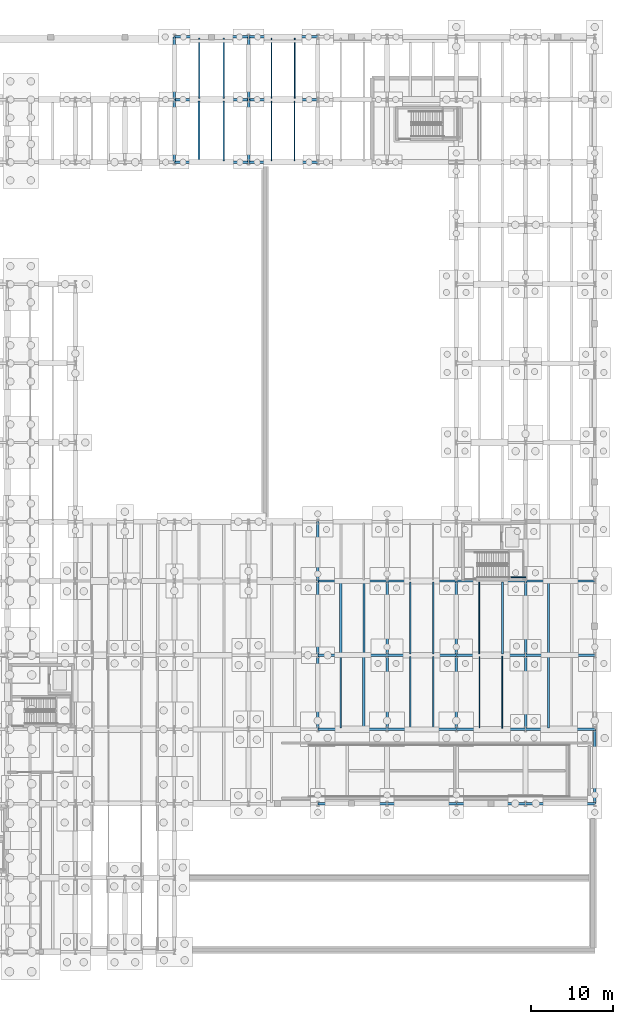
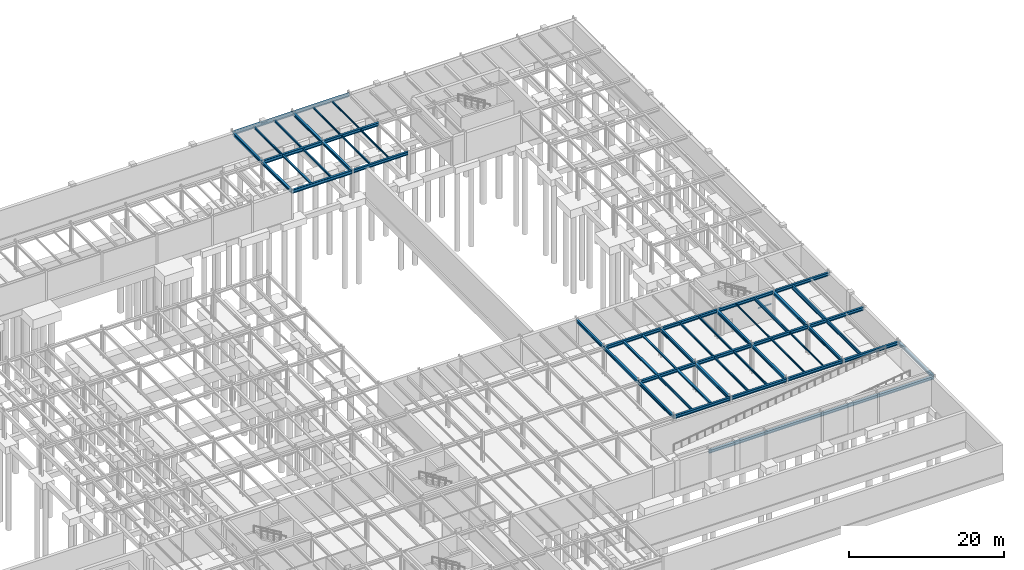
# One storey, part 35 of 59: 59 beams.
"""IFC4 building model written with IfcOpenShell, lengths in metres."""

from ifc_helpers import new_model, si_unit, direction, frame, origin, origin_2d, place, context, subcontext, project, spatial, i_section, extrude, material, material_profile, profile_set, type_object, element, save


model = new_model("IFC4")

# Units and contexts
model_context = context("Model", 3, precision=1e-05, world=origin(), true_north=direction((0.0, 1.0)))
body_context = subcontext(model_context, "Body", "Model", "MODEL_VIEW")
ifc_project = project(units=[si_unit("LENGTHUNIT", "METRE"), si_unit("AREAUNIT", "SQUARE_METRE"), si_unit("VOLUMEUNIT", "CUBIC_METRE"), si_unit("PLANEANGLEUNIT", "RADIAN"), si_unit("MASSUNIT", "GRAM", prefix="KILO")], contexts=[model_context])

# Site, building, storey
site_placement = place(None, origin())
site = spatial("IfcSite", under=ifc_project, at=site_placement, CompositionType="ELEMENT")
building_placement = place(site_placement, origin())
building = spatial("IfcBuilding", under=site, at=building_placement, Name="Montealbar Specialist Clinic", CompositionType="ELEMENT")
storey_placement = place(building_placement, frame((0.0, 0.0, -4.800048828125)))
storey = spatial("IfcBuildingStorey", under=building, at=storey_placement, Name="B01", CompositionType="ELEMENT", Elevation=-4.800048828125)

# Beams
ifc_material = material(Name="Steel S355", Category="steel")
ifc_material_profile_1 = material_profile(ifc_material, i_section(OverallWidth=0.300048828125, OverallDepth=0.449951171875, WebThickness=0.013916015625, FlangeThickness=0.02587890625, FilletRadius=0.027099609375, at=origin_2d()), Name="HEB 450", Category="steel")
ifc_profile_set_1 = profile_set([ifc_material_profile_1], Name="Steel S355")
beam_type_1 = type_object("IfcBeamType", Name="BM-GIRD-HEB450", PredefinedType="BEAM", material=ifc_profile_set_1)
beam_1_placement = place(storey_placement, frame((120.0, 95.800048828125, 4.255126953125), z_axis=(0.0, 1.0, 0.0), x_axis=(-1.0, 0.0, 0.0)))
element("IfcBeam", 1, at=beam_1_placement, inside=storey, type_object=beam_type_1, Name="Beam GY-B01-1200-958-1034", PredefinedType="BEAM", context=body_context, shape_type="SweptSolid", body=[
    extrude(i_section(OverallWidth=0.300048828125, OverallDepth=0.449951171875, WebThickness=0.013916015625, FlangeThickness=0.02587890625, FilletRadius=0.027099609375, at=origin_2d()), origin(), (0.0, 0.0, 1.0), 7.599853515625),
])
beam_2_placement = place(storey_placement, frame((120.0, 103.39990234375, 4.255126953125), z_axis=(0.0, 1.0, 0.0), x_axis=(-1.0, 0.0, 0.0)))
element("IfcBeam", 2, at=beam_2_placement, inside=storey, type_object=beam_type_1, Name="Beam GY-B01-1200-1034-1110", PredefinedType="BEAM", context=body_context, shape_type="SweptSolid", body=[
    extrude(i_section(OverallWidth=0.300048828125, OverallDepth=0.449951171875, WebThickness=0.013916015625, FlangeThickness=0.02587890625, FilletRadius=0.027099609375, at=origin_2d()), origin(), (0.0, 0.0, 1.0), 7.60009765625),
])
beam_3_placement = place(storey_placement, frame((128.39990234375, 45.0, 4.255126953125), z_axis=(0.0, 1.0, 0.0), x_axis=(-1.0, 0.0, 0.0)))
element("IfcBeam", 3, at=beam_3_placement, inside=storey, type_object=beam_type_1, Name="Beam GY-B01-1284-450-522", PredefinedType="BEAM", context=body_context, shape_type="SweptSolid", body=[
    extrude(i_section(OverallWidth=0.300048828125, OverallDepth=0.449951171875, WebThickness=0.013916015625, FlangeThickness=0.02587890625, FilletRadius=0.027099609375, at=origin_2d()), origin(), (0.0, 0.0, 1.0), 7.199951171875),
])
ifc_material_profile_2 = material_profile(ifc_material, i_section(OverallWidth=0.300048828125, OverallDepth=0.449951171875, WebThickness=0.013916015625, FlangeThickness=0.02587890625, FilletRadius=0.027099609375, at=origin_2d()), Name="HEB 450", Category="steel")
ifc_profile_set_2 = profile_set([ifc_material_profile_2], Name="Steel S355")
beam_type_2 = type_object("IfcBeamType", Name="BM-GIRD-HEB450-EXT", PredefinedType="BEAM", material=ifc_profile_set_2)
beam_4_placement = place(storey_placement, frame((111.0, 95.800048828125, 4.255126953125), z_axis=(0.0, 1.0, 0.0), x_axis=(-1.0, 0.0, 0.0)))
element("IfcBeam", 4, at=beam_4_placement, inside=storey, type_object=beam_type_2, Name="Beam GY-B01-1110-958-1034", PredefinedType="BEAM", context=body_context, shape_type="SweptSolid", body=[
    extrude(i_section(OverallWidth=0.300048828125, OverallDepth=0.449951171875, WebThickness=0.013916015625, FlangeThickness=0.02587890625, FilletRadius=0.027099609375, at=origin_2d()), origin(), (0.0, 0.0, 1.0), 7.599853515625),
])
beam_5_placement = place(storey_placement, frame((111.0, 103.39990234375, 4.255126953125), z_axis=(0.0, 1.0, 0.0), x_axis=(-1.0, 0.0, 0.0)))
element("IfcBeam", 5, at=beam_5_placement, inside=storey, type_object=beam_type_2, Name="Beam GY-B01-1110-1034-1110", PredefinedType="BEAM", context=body_context, shape_type="SweptSolid", body=[
    extrude(i_section(OverallWidth=0.300048828125, OverallDepth=0.449951171875, WebThickness=0.013916015625, FlangeThickness=0.02587890625, FilletRadius=0.027099609375, at=origin_2d()), origin(), (0.0, 0.0, 1.0), 7.60009765625),
])
ifc_material_profile_3 = material_profile(ifc_material, i_section(OverallWidth=0.300048828125, OverallDepth=0.5, WebThickness=0.014404296875, FlangeThickness=0.028076171875, FilletRadius=0.027099609375, at=origin_2d()), Name="HEB 500", Category="steel")
ifc_profile_set_3 = profile_set([ifc_material_profile_3], Name="Steel S355")
beam_type_3 = type_object("IfcBeamType", Name="BM-GIRD-HEB500", PredefinedType="BEAM", material=ifc_profile_set_3)
beam_6_placement = place(storey_placement, frame((136.800048828125, 27.0, 4.22998046875), z_axis=(1.0, 0.0, 0.0), x_axis=(0.0, 1.0, 0.0)))
element("IfcBeam", 6, at=beam_6_placement, inside=storey, type_object=beam_type_3, Name="Beam GX-B01-1368-1452-270", PredefinedType="BEAM", context=body_context, shape_type="SweptSolid", body=[
    extrude(i_section(OverallWidth=0.300048828125, OverallDepth=0.5, WebThickness=0.014404296875, FlangeThickness=0.028076171875, FilletRadius=0.027099609375, at=origin_2d()), origin(), (0.0, 0.0, 1.0), 8.39990234375),
])
beam_7_placement = place(storey_placement, frame((145.199951171875, 27.0, 4.22998046875), z_axis=(1.0, 0.0, 0.0), x_axis=(0.0, 1.0, 0.0)))
element("IfcBeam", 7, at=beam_7_placement, inside=storey, type_object=beam_type_3, Name="Beam GX-B01-1452-1536-270", PredefinedType="BEAM", context=body_context, shape_type="SweptSolid", body=[
    extrude(i_section(OverallWidth=0.300048828125, OverallDepth=0.5, WebThickness=0.014404296875, FlangeThickness=0.028076171875, FilletRadius=0.027099609375, at=origin_2d()), origin(), (0.0, 0.0, 1.0), 8.400146484375),
])
for number, where, z_axis, x_axis, name in (
    (8, (153.60009765625, 27.0, 4.22998046875), (1.0, 0.0, 0.0), (0.0, 1.0, 0.0), "Beam GX-B01-1536-1620-270"),
    (9, (136.800048828125, 36.0, 4.22998046875), (1.0, 0.0, 0.0), (0.0, 1.0, 0.0), "Beam GX-B01-1368-1452-360"),
):
    element("IfcBeam", number, at=place(storey_placement, frame(where, z_axis=z_axis, x_axis=x_axis)), inside=storey, type_object=beam_type_3, Name=name, PredefinedType="BEAM", context=body_context, shape_type="SweptSolid", body=[
        extrude(i_section(OverallWidth=0.300048828125, OverallDepth=0.5, WebThickness=0.014404296875, FlangeThickness=0.028076171875, FilletRadius=0.027099609375, at=origin_2d()), origin(), (0.0, 0.0, 1.0), 8.39990234375),
    ])
beam_8_placement = place(storey_placement, frame((145.199951171875, 36.0, 4.22998046875), z_axis=(1.0, 0.0, 0.0), x_axis=(0.0, 1.0, 0.0)))
element("IfcBeam", 10, at=beam_8_placement, inside=storey, type_object=beam_type_3, Name="Beam GX-B01-1452-1536-360", PredefinedType="BEAM", context=body_context, shape_type="SweptSolid", body=[
    extrude(i_section(OverallWidth=0.300048828125, OverallDepth=0.5, WebThickness=0.014404296875, FlangeThickness=0.028076171875, FilletRadius=0.027099609375, at=origin_2d()), origin(), (0.0, 0.0, 1.0), 8.400146484375),
])
beam_9_placement = place(storey_placement, frame((153.60009765625, 36.0, 4.22998046875), z_axis=(1.0, 0.0, 0.0), x_axis=(0.0, 1.0, 0.0)))
element("IfcBeam", 11, at=beam_9_placement, inside=storey, type_object=beam_type_3, Name="Beam GX-B01-1536-1620-360", PredefinedType="BEAM", context=body_context, shape_type="SweptSolid", body=[
    extrude(i_section(OverallWidth=0.300048828125, OverallDepth=0.5, WebThickness=0.014404296875, FlangeThickness=0.028076171875, FilletRadius=0.027099609375, at=origin_2d()), origin(), (0.0, 0.0, 1.0), 8.39990234375),
])
beam_10_placement = place(storey_placement, frame((128.39990234375, 45.0, 4.22998046875), z_axis=(1.0, 0.0, 0.0), x_axis=(0.0, 1.0, 0.0)))
element("IfcBeam", 12, at=beam_10_placement, inside=storey, type_object=beam_type_3, Name="Beam GX-B01-1284-1368-450", PredefinedType="BEAM", context=body_context, shape_type="SweptSolid", body=[
    extrude(i_section(OverallWidth=0.300048828125, OverallDepth=0.5, WebThickness=0.014404296875, FlangeThickness=0.028076171875, FilletRadius=0.027099609375, at=origin_2d()), origin(), (0.0, 0.0, 1.0), 8.400146484375),
])
beam_11_placement = place(storey_placement, frame((136.800048828125, 45.0, 4.22998046875), z_axis=(1.0, 0.0, 0.0), x_axis=(0.0, 1.0, 0.0)))
element("IfcBeam", 13, at=beam_11_placement, inside=storey, type_object=beam_type_3, Name="Beam GX-B01-1368-1452-450", PredefinedType="BEAM", context=body_context, shape_type="SweptSolid", body=[
    extrude(i_section(OverallWidth=0.300048828125, OverallDepth=0.5, WebThickness=0.014404296875, FlangeThickness=0.028076171875, FilletRadius=0.027099609375, at=origin_2d()), origin(), (0.0, 0.0, 1.0), 8.39990234375),
])
beam_12_placement = place(storey_placement, frame((145.199951171875, 45.0, 4.22998046875), z_axis=(1.0, 0.0, 0.0), x_axis=(0.0, 1.0, 0.0)))
element("IfcBeam", 14, at=beam_12_placement, inside=storey, type_object=beam_type_3, Name="Beam GX-B01-1452-1536-450", PredefinedType="BEAM", context=body_context, shape_type="SweptSolid", body=[
    extrude(i_section(OverallWidth=0.300048828125, OverallDepth=0.5, WebThickness=0.014404296875, FlangeThickness=0.028076171875, FilletRadius=0.027099609375, at=origin_2d()), origin(), (0.0, 0.0, 1.0), 8.400146484375),
])
for number, where, z_axis, x_axis, name in (
    (15, (153.60009765625, 45.0, 4.22998046875), (1.0, 0.0, 0.0), (0.0, 1.0, 0.0), "Beam GX-B01-1536-1620-450"),
    (16, (120.0, 103.39990234375, 4.22998046875), (1.0, 0.0, 0.0), (0.0, 1.0, 0.0), "Beam GX-B01-1200-1284-1034"),
):
    element("IfcBeam", number, at=place(storey_placement, frame(where, z_axis=z_axis, x_axis=x_axis)), inside=storey, type_object=beam_type_3, Name=name, PredefinedType="BEAM", context=body_context, shape_type="SweptSolid", body=[
        extrude(i_section(OverallWidth=0.300048828125, OverallDepth=0.5, WebThickness=0.014404296875, FlangeThickness=0.028076171875, FilletRadius=0.027099609375, at=origin_2d()), origin(), (0.0, 0.0, 1.0), 8.39990234375),
    ])
for number, where, z_axis, x_axis, name in (
    (17, (128.39990234375, 36.0, 4.22998046875), (0.0, 1.0, 0.0), (-1.0, 0.0, 0.0), "Beam GY-B01-1284-360-450"),
    (18, (136.800048828125, 36.0, 4.22998046875), (0.0, 1.0, 0.0), (-1.0, 0.0, 0.0), "Beam GY-B01-1368-360-450"),
    (19, (145.199951171875, 27.0, 4.22998046875), (0.0, 1.0, 0.0), (-1.0, 0.0, 0.0), "Beam GY-B01-1452-270-360"),
    (20, (145.199951171875, 36.0, 4.22998046875), (0.0, 1.0, 0.0), (-1.0, 0.0, 0.0), "Beam GY-B01-1452-360-450"),
    (21, (153.60009765625, 27.0, 4.22998046875), (0.0, 1.0, 0.0), (-1.0, 0.0, 0.0), "Beam GY-B01-1536-270-360"),
    (22, (153.60009765625, 36.0, 4.22998046875), (0.0, 1.0, 0.0), (-1.0, 0.0, 0.0), "Beam GY-B01-1536-360-450"),
):
    element("IfcBeam", number, at=place(storey_placement, frame(where, z_axis=z_axis, x_axis=x_axis)), inside=storey, type_object=beam_type_3, Name=name, PredefinedType="BEAM", context=body_context, shape_type="SweptSolid", body=[
        extrude(i_section(OverallWidth=0.300048828125, OverallDepth=0.5, WebThickness=0.014404296875, FlangeThickness=0.028076171875, FilletRadius=0.027099609375, at=origin_2d()), origin(), (0.0, 0.0, 1.0), 9.0),
    ])
ifc_material_profile_4 = material_profile(ifc_material, i_section(OverallWidth=0.300048828125, OverallDepth=0.5, WebThickness=0.014404296875, FlangeThickness=0.028076171875, FilletRadius=0.027099609375, at=origin_2d()), Name="HEB 500", Category="steel")
ifc_profile_set_4 = profile_set([ifc_material_profile_4], Name="Steel S355")
beam_type_4 = type_object("IfcBeamType", Name="BM-GIRD-HEB500-EXT", PredefinedType="BEAM", material=ifc_profile_set_4)
beam_13_placement = place(storey_placement, frame((128.39990234375, 18.0, 4.22998046875), z_axis=(1.0, 0.0, 0.0), x_axis=(0.0, 1.0, 0.0)))
element("IfcBeam", 23, at=beam_13_placement, inside=storey, type_object=beam_type_4, Name="Beam GX-B01-1284-1368-180", PredefinedType="BEAM", context=body_context, shape_type="SweptSolid", body=[
    extrude(i_section(OverallWidth=0.300048828125, OverallDepth=0.5, WebThickness=0.014404296875, FlangeThickness=0.028076171875, FilletRadius=0.027099609375, at=origin_2d()), origin(), (0.0, 0.0, 1.0), 8.400146484375),
])
beam_14_placement = place(storey_placement, frame((136.800048828125, 18.0, 4.22998046875), z_axis=(1.0, 0.0, 0.0), x_axis=(0.0, 1.0, 0.0)))
element("IfcBeam", 24, at=beam_14_placement, inside=storey, type_object=beam_type_4, Name="Beam GX-B01-1368-1452-180", PredefinedType="BEAM", context=body_context, shape_type="SweptSolid", body=[
    extrude(i_section(OverallWidth=0.300048828125, OverallDepth=0.5, WebThickness=0.014404296875, FlangeThickness=0.028076171875, FilletRadius=0.027099609375, at=origin_2d()), origin(), (0.0, 0.0, 1.0), 8.39990234375),
])
beam_15_placement = place(storey_placement, frame((145.199951171875, 18.0, 4.22998046875), z_axis=(1.0, 0.0, 0.0), x_axis=(0.0, 1.0, 0.0)))
element("IfcBeam", 25, at=beam_15_placement, inside=storey, type_object=beam_type_4, Name="Beam GX-B01-1452-1536-180", PredefinedType="BEAM", context=body_context, shape_type="SweptSolid", body=[
    extrude(i_section(OverallWidth=0.300048828125, OverallDepth=0.5, WebThickness=0.014404296875, FlangeThickness=0.028076171875, FilletRadius=0.027099609375, at=origin_2d()), origin(), (0.0, 0.0, 1.0), 8.400146484375),
])
beam_16_placement = place(storey_placement, frame((153.60009765625, 18.0, 4.22998046875), z_axis=(1.0, 0.0, 0.0), x_axis=(0.0, 1.0, 0.0)))
element("IfcBeam", 26, at=beam_16_placement, inside=storey, type_object=beam_type_4, Name="Beam GX-B01-1536-1620-180", PredefinedType="BEAM", context=body_context, shape_type="SweptSolid", body=[
    extrude(i_section(OverallWidth=0.300048828125, OverallDepth=0.5, WebThickness=0.014404296875, FlangeThickness=0.028076171875, FilletRadius=0.027099609375, at=origin_2d()), origin(), (0.0, 0.0, 1.0), 8.39990234375),
])
for number, where, z_axis, x_axis, name in (
    (27, (128.39990234375, 27.0, 4.22998046875), (1.0, 0.0, 0.0), (0.0, 1.0, 0.0), "Beam GX-B01-1284-1368-270"),
    (28, (128.39990234375, 36.0, 4.22998046875), (1.0, 0.0, 0.0), (0.0, 1.0, 0.0), "Beam GX-B01-1284-1368-360"),
):
    element("IfcBeam", number, at=place(storey_placement, frame(where, z_axis=z_axis, x_axis=x_axis)), inside=storey, type_object=beam_type_4, Name=name, PredefinedType="BEAM", context=body_context, shape_type="SweptSolid", body=[
        extrude(i_section(OverallWidth=0.300048828125, OverallDepth=0.5, WebThickness=0.014404296875, FlangeThickness=0.028076171875, FilletRadius=0.027099609375, at=origin_2d()), origin(), (0.0, 0.0, 1.0), 8.400146484375),
    ])
for number, where, z_axis, x_axis, name in (
    (29, (120.0, 95.800048828125, 4.22998046875), (1.0, 0.0, 0.0), (0.0, 1.0, 0.0), "Beam GX-B01-1200-1284-958"),
    (30, (120.0, 111.0, 4.22998046875), (1.0, 0.0, 0.0), (0.0, 1.0, 0.0), "Beam GX-B01-1200-1284-1110"),
):
    element("IfcBeam", number, at=place(storey_placement, frame(where, z_axis=z_axis, x_axis=x_axis)), inside=storey, type_object=beam_type_4, Name=name, PredefinedType="BEAM", context=body_context, shape_type="SweptSolid", body=[
        extrude(i_section(OverallWidth=0.300048828125, OverallDepth=0.5, WebThickness=0.014404296875, FlangeThickness=0.028076171875, FilletRadius=0.027099609375, at=origin_2d()), origin(), (0.0, 0.0, 1.0), 8.39990234375),
    ])
for number, where, z_axis, x_axis, name in (
    (31, (128.39990234375, 27.0, 4.22998046875), (0.0, 1.0, 0.0), (-1.0, 0.0, 0.0), "Beam GY-B01-1284-270-360"),
    (32, (136.800048828125, 27.0, 4.22998046875), (0.0, 1.0, 0.0), (-1.0, 0.0, 0.0), "Beam GY-B01-1368-270-360"),
    (33, (162.0, 18.0, 4.22998046875), (0.0, 1.0, 0.0), (-1.0, 0.0, 0.0), "Beam GY-B01-1620-180-270"),
):
    element("IfcBeam", number, at=place(storey_placement, frame(where, z_axis=z_axis, x_axis=x_axis)), inside=storey, type_object=beam_type_4, Name=name, PredefinedType="BEAM", context=body_context, shape_type="SweptSolid", body=[
        extrude(i_section(OverallWidth=0.300048828125, OverallDepth=0.5, WebThickness=0.014404296875, FlangeThickness=0.028076171875, FilletRadius=0.027099609375, at=origin_2d()), origin(), (0.0, 0.0, 1.0), 9.0),
    ])
ifc_material_profile_5 = material_profile(ifc_material, i_section(OverallWidth=0.300048828125, OverallDepth=0.550048828125, WebThickness=0.014892578125, FlangeThickness=0.029052734375, FilletRadius=0.027099609375, at=origin_2d()), Name="HEB 550", Category="steel")
ifc_profile_set_5 = profile_set([ifc_material_profile_5], Name="Steel S355")
beam_type_5 = type_object("IfcBeamType", Name="BM-GIRD-HEB550", PredefinedType="BEAM", material=ifc_profile_set_5)
beam_17_placement = place(storey_placement, frame((111.0, 103.39990234375, 4.205078125), z_axis=(1.0, 0.0, 0.0), x_axis=(0.0, 1.0, 0.0)))
element("IfcBeam", 34, at=beam_17_placement, inside=storey, type_object=beam_type_5, Name="Beam GX-B01-1110-1200-1034", PredefinedType="BEAM", context=body_context, shape_type="SweptSolid", body=[
    extrude(i_section(OverallWidth=0.300048828125, OverallDepth=0.550048828125, WebThickness=0.014892578125, FlangeThickness=0.029052734375, FilletRadius=0.027099609375, at=origin_2d()), origin(), (0.0, 0.0, 1.0), 9.0),
])
ifc_material_profile_6 = material_profile(ifc_material, i_section(OverallWidth=0.300048828125, OverallDepth=0.550048828125, WebThickness=0.014892578125, FlangeThickness=0.029052734375, FilletRadius=0.027099609375, at=origin_2d()), Name="HEB 550", Category="steel")
ifc_profile_set_6 = profile_set([ifc_material_profile_6], Name="Steel S355")
beam_type_6 = type_object("IfcBeamType", Name="BM-GIRD-HEB550-EXT", PredefinedType="BEAM", material=ifc_profile_set_6)
for number, where, z_axis, x_axis, name in (
    (35, (111.0, 95.800048828125, 4.205078125), (1.0, 0.0, 0.0), (0.0, 1.0, 0.0), "Beam GX-B01-1110-1200-958"),
    (36, (111.0, 111.0, 4.205078125), (1.0, 0.0, 0.0), (0.0, 1.0, 0.0), "Beam GX-B01-1110-1200-1110"),
):
    element("IfcBeam", number, at=place(storey_placement, frame(where, z_axis=z_axis, x_axis=x_axis)), inside=storey, type_object=beam_type_6, Name=name, PredefinedType="BEAM", context=body_context, shape_type="SweptSolid", body=[
        extrude(i_section(OverallWidth=0.300048828125, OverallDepth=0.550048828125, WebThickness=0.014892578125, FlangeThickness=0.029052734375, FilletRadius=0.027099609375, at=origin_2d()), origin(), (0.0, 0.0, 1.0), 9.0),
    ])
ifc_material_profile_7 = material_profile(ifc_material, i_section(OverallWidth=0.1201171875, OverallDepth=0.239990234375, WebThickness=0.006103515625, FlangeThickness=0.009765625, FilletRadius=0.014892578125, at=origin_2d()), Name="IPE 240", Category="steel")
ifc_profile_set_7 = profile_set([ifc_material_profile_7], Name="Steel S355")
beam_type_7 = type_object("IfcBeamType", Name="BM-JST-IPE240", PredefinedType="JOIST", material=ifc_profile_set_7)
beam_18_placement = place(storey_placement, frame((125.60009765625, 103.550048828125, 4.360107421875), z_axis=(0.0, 1.0, 0.0), x_axis=(-1.0, 0.0, 0.0)))
element("IfcBeam", 37, at=beam_18_placement, inside=storey, type_object=beam_type_7, Name="Beam JST-B01-1256-1036-1108", PredefinedType="JOIST", context=body_context, shape_type="SweptSolid", body=[
    extrude(i_section(OverallWidth=0.1201171875, OverallDepth=0.239990234375, WebThickness=0.006103515625, FlangeThickness=0.009765625, FilletRadius=0.014892578125, at=origin_2d()), origin(), (0.0, 0.0, 1.0), 7.300048828125),
])
for number, where, z_axis, x_axis, name in (
    (38, (150.800048828125, 27.14990234375, 4.360107421875), (0.0, 1.0, 0.0), (-1.0, 0.0, 0.0), "Beam JST-B01-1508-272-358"),
    (39, (148.0, 36.14990234375, 4.360107421875), (0.0, 1.0, 0.0), (-1.0, 0.0, 0.0), "Beam JST-B01-1480-362-448"),
):
    element("IfcBeam", number, at=place(storey_placement, frame(where, z_axis=z_axis, x_axis=x_axis)), inside=storey, type_object=beam_type_7, Name=name, PredefinedType="JOIST", context=body_context, shape_type="SweptSolid", body=[
        extrude(i_section(OverallWidth=0.1201171875, OverallDepth=0.239990234375, WebThickness=0.006103515625, FlangeThickness=0.009765625, FilletRadius=0.014892578125, at=origin_2d()), origin(), (0.0, 0.0, 1.0), 8.7001953125),
    ])
ifc_material_profile_8 = material_profile(ifc_material, i_section(OverallWidth=0.135009765625, OverallDepth=0.27001953125, WebThickness=0.006591796875, FlangeThickness=0.01025390625, FilletRadius=0.014892578125, at=origin_2d()), Name="IPE 270", Category="steel")
ifc_profile_set_8 = profile_set([ifc_material_profile_8], Name="Steel S355")
beam_type_8 = type_object("IfcBeamType", Name="BM-JST-IPE270", PredefinedType="JOIST", material=ifc_profile_set_8)
for number, where, z_axis, x_axis, name in (
    (40, (125.60009765625, 95.949951171875, 4.344970703125), (0.0, 1.0, 0.0), (-1.0, 0.0, 0.0), "Beam JST-B01-1256-960-1032"),
    (41, (122.800048828125, 103.550048828125, 4.344970703125), (0.0, 1.0, 0.0), (-1.0, 0.0, 0.0), "Beam JST-B01-1228-1036-1108"),
):
    element("IfcBeam", number, at=place(storey_placement, frame(where, z_axis=z_axis, x_axis=x_axis)), inside=storey, type_object=beam_type_8, Name=name, PredefinedType="JOIST", context=body_context, shape_type="SweptSolid", body=[
        extrude(i_section(OverallWidth=0.135009765625, OverallDepth=0.27001953125, WebThickness=0.006591796875, FlangeThickness=0.01025390625, FilletRadius=0.014892578125, at=origin_2d()), origin(), (0.0, 0.0, 1.0), 7.300048828125),
    ])
beam_19_placement = place(storey_placement, frame((148.0, 27.14990234375, 4.344970703125), z_axis=(0.0, 1.0, 0.0), x_axis=(-1.0, 0.0, 0.0)))
element("IfcBeam", 42, at=beam_19_placement, inside=storey, type_object=beam_type_8, Name="Beam JST-B01-1480-272-358", PredefinedType="JOIST", context=body_context, shape_type="SweptSolid", body=[
    extrude(i_section(OverallWidth=0.135009765625, OverallDepth=0.27001953125, WebThickness=0.006591796875, FlangeThickness=0.01025390625, FilletRadius=0.014892578125, at=origin_2d()), origin(), (0.0, 0.0, 1.0), 8.7001953125),
])
ifc_material_profile_9 = material_profile(ifc_material, i_section(OverallWidth=0.14990234375, OverallDepth=0.300048828125, WebThickness=0.007080078125, FlangeThickness=0.0107421875, FilletRadius=0.014892578125, at=origin_2d()), Name="IPE 300", Category="steel")
ifc_profile_set_9 = profile_set([ifc_material_profile_9], Name="Steel S355")
beam_type_9 = type_object("IfcBeamType", Name="BM-JST-IPE300", PredefinedType="JOIST", material=ifc_profile_set_9)
beam_20_placement = place(storey_placement, frame((122.800048828125, 95.949951171875, 4.330078125), z_axis=(0.0, 1.0, 0.0), x_axis=(-1.0, 0.0, 0.0)))
element("IfcBeam", 43, at=beam_20_placement, inside=storey, type_object=beam_type_9, Name="Beam JST-B01-1228-960-1032", PredefinedType="JOIST", context=body_context, shape_type="SweptSolid", body=[
    extrude(i_section(OverallWidth=0.14990234375, OverallDepth=0.300048828125, WebThickness=0.007080078125, FlangeThickness=0.0107421875, FilletRadius=0.014892578125, at=origin_2d()), origin(), (0.0, 0.0, 1.0), 7.300048828125),
])
beam_21_placement = place(storey_placement, frame((142.39990234375, 36.14990234375, 4.330078125), z_axis=(0.0, 1.0, 0.0), x_axis=(-1.0, 0.0, 0.0)))
element("IfcBeam", 44, at=beam_21_placement, inside=storey, type_object=beam_type_9, Name="Beam JST-B01-1424-362-448", PredefinedType="JOIST", context=body_context, shape_type="SweptSolid", body=[
    extrude(i_section(OverallWidth=0.14990234375, OverallDepth=0.300048828125, WebThickness=0.007080078125, FlangeThickness=0.0107421875, FilletRadius=0.014892578125, at=origin_2d()), origin(), (0.0, 0.0, 1.0), 8.7001953125),
])
ifc_material_profile_10 = material_profile(ifc_material, i_section(OverallWidth=0.159912109375, OverallDepth=0.330078125, WebThickness=0.007568359375, FlangeThickness=0.011474609375, FilletRadius=0.01806640625, at=origin_2d()), Name="IPE 330", Category="steel")
ifc_profile_set_10 = profile_set([ifc_material_profile_10], Name="Steel S355")
beam_type_10 = type_object("IfcBeamType", Name="BM-JST-IPE330", PredefinedType="JOIST", material=ifc_profile_set_10)
beam_22_placement = place(storey_placement, frame((117.0, 103.550048828125, 4.31494140625), z_axis=(0.0, 1.0, 0.0), x_axis=(-1.0, 0.0, 0.0)))
element("IfcBeam", 45, at=beam_22_placement, inside=storey, type_object=beam_type_10, Name="Beam JST-B01-1170-1036-1108", PredefinedType="JOIST", context=body_context, shape_type="SweptSolid", body=[
    extrude(i_section(OverallWidth=0.159912109375, OverallDepth=0.330078125, WebThickness=0.007568359375, FlangeThickness=0.011474609375, FilletRadius=0.01806640625, at=origin_2d()), origin(), (0.0, 0.0, 1.0), 7.300048828125),
])
for number, where, z_axis, x_axis, name in (
    (46, (142.39990234375, 27.14990234375, 4.31494140625), (0.0, 1.0, 0.0), (-1.0, 0.0, 0.0), "Beam JST-B01-1424-272-358"),
    (47, (139.60009765625, 36.14990234375, 4.31494140625), (0.0, 1.0, 0.0), (-1.0, 0.0, 0.0), "Beam JST-B01-1396-362-448"),
):
    element("IfcBeam", number, at=place(storey_placement, frame(where, z_axis=z_axis, x_axis=x_axis)), inside=storey, type_object=beam_type_10, Name=name, PredefinedType="JOIST", context=body_context, shape_type="SweptSolid", body=[
        extrude(i_section(OverallWidth=0.159912109375, OverallDepth=0.330078125, WebThickness=0.007568359375, FlangeThickness=0.011474609375, FilletRadius=0.01806640625, at=origin_2d()), origin(), (0.0, 0.0, 1.0), 8.7001953125),
    ])
ifc_material_profile_11 = material_profile(ifc_material, i_section(OverallWidth=0.169921875, OverallDepth=0.360107421875, WebThickness=0.008056640625, FlangeThickness=0.0126953125, FilletRadius=0.01806640625, at=origin_2d()), Name="IPE 360", Category="steel")
ifc_profile_set_11 = profile_set([ifc_material_profile_11], Name="Steel S355")
beam_type_11 = type_object("IfcBeamType", Name="BM-JST-IPE360", PredefinedType="JOIST", material=ifc_profile_set_11)
for number, where, z_axis, x_axis, name in (
    (48, (117.0, 95.949951171875, 4.300048828125), (0.0, 1.0, 0.0), (-1.0, 0.0, 0.0), "Beam JST-B01-1170-960-1032"),
    (49, (114.0, 103.550048828125, 4.300048828125), (0.0, 1.0, 0.0), (-1.0, 0.0, 0.0), "Beam JST-B01-1140-1036-1108"),
):
    element("IfcBeam", number, at=place(storey_placement, frame(where, z_axis=z_axis, x_axis=x_axis)), inside=storey, type_object=beam_type_11, Name=name, PredefinedType="JOIST", context=body_context, shape_type="SweptSolid", body=[
        extrude(i_section(OverallWidth=0.169921875, OverallDepth=0.360107421875, WebThickness=0.008056640625, FlangeThickness=0.0126953125, FilletRadius=0.01806640625, at=origin_2d()), origin(), (0.0, 0.0, 1.0), 7.300048828125),
    ])
beam_23_placement = place(storey_placement, frame((139.60009765625, 27.14990234375, 4.300048828125), z_axis=(0.0, 1.0, 0.0), x_axis=(-1.0, 0.0, 0.0)))
element("IfcBeam", 50, at=beam_23_placement, inside=storey, type_object=beam_type_11, Name="Beam JST-B01-1396-272-358", PredefinedType="JOIST", context=body_context, shape_type="SweptSolid", body=[
    extrude(i_section(OverallWidth=0.169921875, OverallDepth=0.360107421875, WebThickness=0.008056640625, FlangeThickness=0.0126953125, FilletRadius=0.01806640625, at=origin_2d()), origin(), (0.0, 0.0, 1.0), 8.7001953125),
])
ifc_material_profile_12 = material_profile(ifc_material, i_section(OverallWidth=0.199951171875, OverallDepth=0.5, WebThickness=0.01025390625, FlangeThickness=0.01611328125, FilletRadius=0.02099609375, at=origin_2d()), Name="IPE 500", Category="steel")
ifc_profile_set_12 = profile_set([ifc_material_profile_12], Name="Steel S355")
beam_type_12 = type_object("IfcBeamType", Name="BM-JST-IPE500", PredefinedType="JOIST", material=ifc_profile_set_12)
beam_24_placement = place(storey_placement, frame((150.800048828125, 36.14990234375, 4.22998046875), z_axis=(0.0, 1.0, 0.0), x_axis=(-1.0, 0.0, 0.0)))
element("IfcBeam", 51, at=beam_24_placement, inside=storey, type_object=beam_type_12, Name="Beam JST-B01-1508-362-448", PredefinedType="JOIST", context=body_context, shape_type="SweptSolid", body=[
    extrude(i_section(OverallWidth=0.199951171875, OverallDepth=0.5, WebThickness=0.01025390625, FlangeThickness=0.01611328125, FilletRadius=0.02099609375, at=origin_2d()), origin(), (0.0, 0.0, 1.0), 8.7001953125),
])
ifc_material_profile_13 = material_profile(ifc_material, i_section(OverallWidth=0.2099609375, OverallDepth=0.550048828125, WebThickness=0.010986328125, FlangeThickness=0.01708984375, FilletRadius=0.02392578125, at=origin_2d()), Name="IPE 550", Category="steel")
ifc_profile_set_13 = profile_set([ifc_material_profile_13], Name="Steel S355")
beam_type_13 = type_object("IfcBeamType", Name="BM-JST-IPE550", PredefinedType="JOIST", material=ifc_profile_set_13)
beam_25_placement = place(storey_placement, frame((156.39990234375, 27.14990234375, 4.205078125), z_axis=(0.0, 1.0, 0.0), x_axis=(-1.0, 0.0, 0.0)))
element("IfcBeam", 52, at=beam_25_placement, inside=storey, type_object=beam_type_13, Name="Beam JST-B01-1564-272-358", PredefinedType="JOIST", context=body_context, shape_type="SweptSolid", body=[
    extrude(i_section(OverallWidth=0.2099609375, OverallDepth=0.550048828125, WebThickness=0.010986328125, FlangeThickness=0.01708984375, FilletRadius=0.02392578125, at=origin_2d()), origin(), (0.0, 0.0, 1.0), 8.7001953125),
])
ifc_material_profile_14 = material_profile(ifc_material, i_section(OverallWidth=0.219970703125, OverallDepth=0.60009765625, WebThickness=0.011962890625, FlangeThickness=0.01904296875, FilletRadius=0.02392578125, at=origin_2d()), Name="IPE 600", Category="steel")
ifc_profile_set_14 = profile_set([ifc_material_profile_14], Name="Steel S355")
beam_type_14 = type_object("IfcBeamType", Name="BM-JST-IPE600", PredefinedType="JOIST", material=ifc_profile_set_14)
beam_26_placement = place(storey_placement, frame((156.39990234375, 36.14990234375, 4.179931640625), z_axis=(0.0, 1.0, 0.0), x_axis=(-1.0, 0.0, 0.0)))
element("IfcBeam", 53, at=beam_26_placement, inside=storey, type_object=beam_type_14, Name="Beam JST-B01-1564-362-448", PredefinedType="JOIST", context=body_context, shape_type="SweptSolid", body=[
    extrude(i_section(OverallWidth=0.219970703125, OverallDepth=0.60009765625, WebThickness=0.011962890625, FlangeThickness=0.01904296875, FilletRadius=0.02392578125, at=origin_2d()), origin(), (0.0, 0.0, 1.0), 8.7001953125),
])
ifc_material_profile_15 = material_profile(ifc_material, i_section(OverallWidth=0.10009765625, OverallDepth=0.199951171875, WebThickness=0.005615234375, FlangeThickness=0.008544921875, FilletRadius=0.011962890625, at=origin_2d()), Name="IPE 200", Category="steel")
ifc_profile_set_15 = profile_set([ifc_material_profile_15], Name="Steel S355")
beam_type_15 = type_object("IfcBeamType", Name="BM-LINT-IPE200", PredefinedType="LINTEL", material=ifc_profile_set_15)
beam_27_placement = place(storey_placement, frame((151.574951171875, 45.449951171875, 2.10009765625), z_axis=(1.0, 0.0, 0.0), x_axis=(0.0, 1.0, 0.0)))
element("IfcBeam", 54, at=beam_27_placement, inside=storey, type_object=beam_type_15, Name="Core C6 Stair Landing Tie Beam B01", PredefinedType="LINTEL", context=body_context, shape_type="SweptSolid", body=[
    extrude(i_section(OverallWidth=0.10009765625, OverallDepth=0.199951171875, WebThickness=0.005615234375, FlangeThickness=0.008544921875, FilletRadius=0.011962890625, at=origin_2d()), origin(), (0.0, 0.0, 1.0), 2.025146484375),
])
ifc_material_profile_16 = material_profile(ifc_material, i_section(OverallWidth=0.179931640625, OverallDepth=0.39990234375, WebThickness=0.008544921875, FlangeThickness=0.013427734375, FilletRadius=0.02099609375, at=origin_2d()), Name="IPE 400", Category="steel")
ifc_profile_set_16 = profile_set([ifc_material_profile_16], Name="Steel S355")
beam_type_16 = type_object("IfcBeamType", Name="BM-SEC-IPE400", PredefinedType="BEAM", material=ifc_profile_set_16)
beam_28_placement = place(storey_placement, frame((131.199951171875, 27.14990234375, 4.280029296875), z_axis=(0.0, 1.0, 0.0), x_axis=(-1.0, 0.0, 0.0)))
element("IfcBeam", 55, at=beam_28_placement, inside=storey, type_object=beam_type_16, Name="Beam JST-B01-1312-272-358", PredefinedType="BEAM", context=body_context, shape_type="SweptSolid", body=[
    extrude(i_section(OverallWidth=0.179931640625, OverallDepth=0.39990234375, WebThickness=0.008544921875, FlangeThickness=0.013427734375, FilletRadius=0.02099609375, at=origin_2d()), origin(), (0.0, 0.0, 1.0), 8.7001953125),
])
ifc_material_profile_17 = material_profile(ifc_material, i_section(OverallWidth=0.239990234375, OverallDepth=0.22998046875, WebThickness=0.007568359375, FlangeThickness=0.011962890625, FilletRadius=0.02099609375, at=origin_2d()), Name="HEA 240", Category="steel")
ifc_profile_set_17 = profile_set([ifc_material_profile_17], Name="Steel S355")
beam_type_17 = type_object("IfcBeamType", Name="BM-SPAND-HEA240", PredefinedType="SPANDREL", material=ifc_profile_set_17)
beam_29_placement = place(storey_placement, frame((114.0, 95.949951171875, 4.364990234375), z_axis=(0.0, 1.0, 0.0), x_axis=(-1.0, 0.0, 0.0)))
element("IfcBeam", 56, at=beam_29_placement, inside=storey, type_object=beam_type_17, Name="Beam JST-B01-1140-960-1032", PredefinedType="SPANDREL", context=body_context, shape_type="SweptSolid", body=[
    extrude(i_section(OverallWidth=0.239990234375, OverallDepth=0.22998046875, WebThickness=0.007568359375, FlangeThickness=0.011962890625, FilletRadius=0.02099609375, at=origin_2d()), origin(), (0.0, 0.0, 1.0), 7.300048828125),
])
beam_30_placement = place(storey_placement, frame((134.0, 36.14990234375, 4.364990234375), z_axis=(0.0, 1.0, 0.0), x_axis=(-1.0, 0.0, 0.0)))
element("IfcBeam", 57, at=beam_30_placement, inside=storey, type_object=beam_type_17, Name="Beam JST-B01-1340-362-448", PredefinedType="SPANDREL", context=body_context, shape_type="SweptSolid", body=[
    extrude(i_section(OverallWidth=0.239990234375, OverallDepth=0.22998046875, WebThickness=0.007568359375, FlangeThickness=0.011962890625, FilletRadius=0.02099609375, at=origin_2d()), origin(), (0.0, 0.0, 1.0), 8.7001953125),
])
ifc_material_profile_18 = material_profile(ifc_material, i_section(OverallWidth=0.300048828125, OverallDepth=0.2900390625, WebThickness=0.008544921875, FlangeThickness=0.013916015625, FilletRadius=0.027099609375, at=origin_2d()), Name="HEA 300", Category="steel")
ifc_profile_set_18 = profile_set([ifc_material_profile_18], Name="Steel S355")
beam_type_18 = type_object("IfcBeamType", Name="BM-SPAND-HEA300", PredefinedType="SPANDREL", material=ifc_profile_set_18)
for number, where, z_axis, x_axis, name in (
    (58, (134.0, 27.14990234375, 4.3349609375), (0.0, 1.0, 0.0), (-1.0, 0.0, 0.0), "Beam JST-B01-1340-272-358"),
    (59, (131.199951171875, 36.14990234375, 4.3349609375), (0.0, 1.0, 0.0), (-1.0, 0.0, 0.0), "Beam JST-B01-1312-362-448"),
):
    element("IfcBeam", number, at=place(storey_placement, frame(where, z_axis=z_axis, x_axis=x_axis)), inside=storey, type_object=beam_type_18, Name=name, PredefinedType="SPANDREL", context=body_context, shape_type="SweptSolid", body=[
        extrude(i_section(OverallWidth=0.300048828125, OverallDepth=0.2900390625, WebThickness=0.008544921875, FlangeThickness=0.013916015625, FilletRadius=0.027099609375, at=origin_2d()), origin(), (0.0, 0.0, 1.0), 8.7001953125),
    ])

save(model, "model.ifc")
